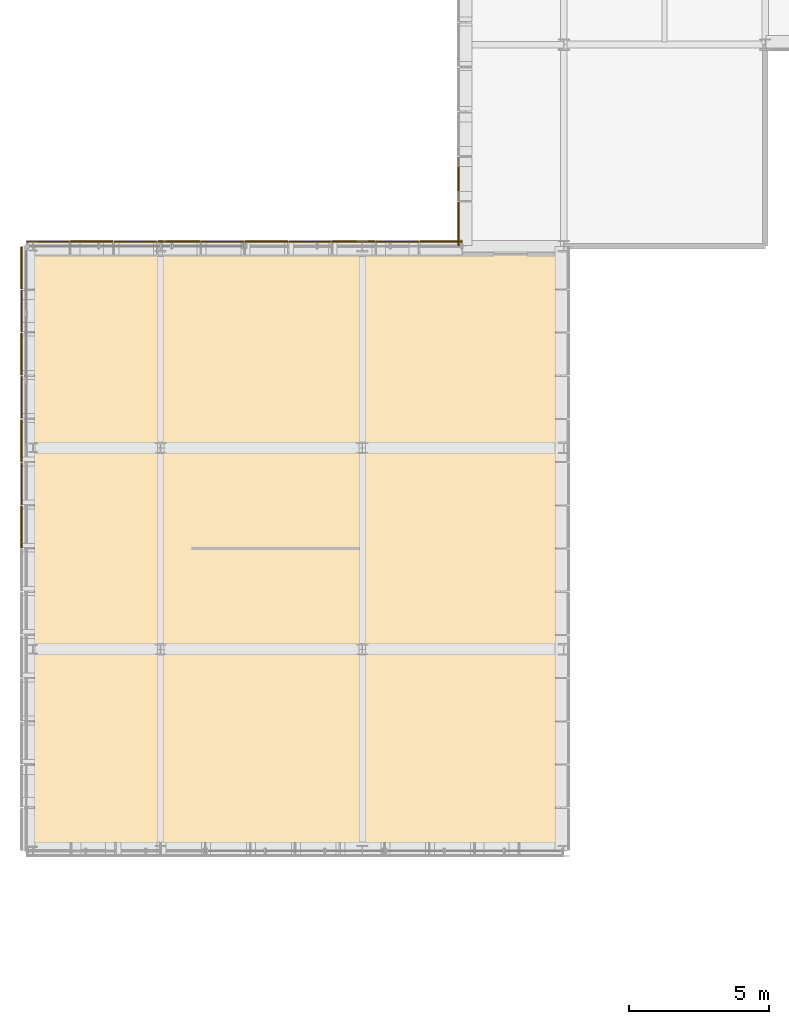
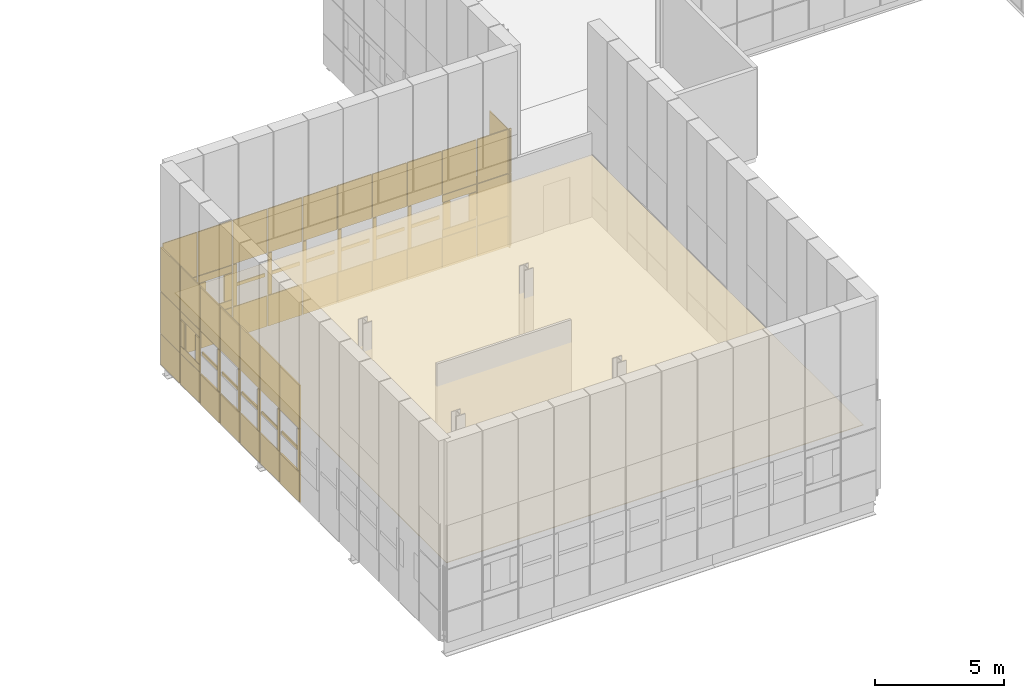
# One storey, part 128 of 144: 77 coverings.
"""IFC4 building model written with IfcOpenShell, lengths in metres."""

import ifcopenshell
import ifcopenshell.guid

model = None  # the IFC model being written
_history = None  # IfcOwnerHistory: only IFC2X3 demands one
_inside = {}  # id of a spatial element -> (the spatial element, [elements in it])
_under = {}  # id of a project, library or spatial element -> (it, [spatial elements below it])
_declared = {}  # id of a project -> (the project, [libraries it declares])
_typed = {}  # id of a type object -> (the type object, [elements of that type])
_made_of = {}  # id of a material, layer set ... -> (it, [elements and type objects made of it])


def new_model(schema):
    """Start an empty IFC model of exactly this schema.

    Asked for "IFC4X3", IfcOpenShell would pick the latest addendum, in which some entities
    have other attributes; the version numbers below select the first issue.
    IFC2X3 requires an IfcOwnerHistory on every rooted entity: one is made here for all.
    """
    global model, _history
    if schema == "IFC4X3":
        model = ifcopenshell.file(schema_version=(4, 3, 0, 0))
    else:
        model = ifcopenshell.file(schema=schema)
    _inside.clear()
    _under.clear()
    _declared.clear()
    _typed.clear()
    _made_of.clear()
    _history = None
    if model.schema == "IFC2X3":
        org = make("IfcOrganization", Name="unknown")
        user = make(
            "IfcPersonAndOrganization",
            ThePerson=make("IfcPerson", FamilyName="unknown"),
            TheOrganization=org,
        )
        app = make(
            "IfcApplication",
            ApplicationDeveloper=org,
            Version="unknown",
            ApplicationFullName="unknown",
            ApplicationIdentifier="unknown",
        )
        _history = make(
            "IfcOwnerHistory",
            OwningUser=user,
            OwningApplication=app,
            ChangeAction="ADDED",
            CreationDate=0,
        )
    return model


def make(cls, **values):
    """One entity of the class cls with the attributes given. An attribute that is None is left unset."""
    return model.create_entity(
        cls, **{name: value for name, value in values.items() if value is not None}
    )


def rooted(cls, **values):
    """An entity with a GlobalId (a new one), such as an element, a storey or a relation."""
    return make(cls, GlobalId=ifcopenshell.guid.new(), OwnerHistory=_history, **values)


def si_unit(unit_type, name, prefix=None):
    """IfcSIUnit, for example si_unit("LENGTHUNIT", "METRE", prefix="MILLI")."""
    return make("IfcSIUnit", UnitType=unit_type, Prefix=prefix, Name=name)


def assignment(units):
    """IfcUnitAssignment: the units of a project."""
    return None if units is None else make("IfcUnitAssignment", Units=units)


def point(xyz):
    """IfcCartesianPoint."""
    return None if xyz is None else make("IfcCartesianPoint", Coordinates=xyz)


def direction(xyz):
    """IfcDirection."""
    return None if xyz is None else make("IfcDirection", DirectionRatios=xyz)


def frame(location, z_axis=None, x_axis=None):
    """IfcAxis2Placement3D, a coordinate frame: its origin and axes. An axis left out is left unset."""
    return make(
        "IfcAxis2Placement3D",
        Location=point(location),
        Axis=direction(z_axis),
        RefDirection=direction(x_axis),
    )


def frame_2d(location, x_axis=None):
    """IfcAxis2Placement2D, a coordinate frame in the plane: its origin and x axis."""
    return make(
        "IfcAxis2Placement2D", Location=point(location), RefDirection=direction(x_axis)
    )


def origin():
    """The frame at (0, 0, 0) with its axes left unset."""
    return frame((0.0, 0.0, 0.0))


def origin_2d():
    """The frame at (0, 0) in the plane with its x axis left unset."""
    return frame_2d((0.0, 0.0))


def place(relative_to, where):
    """IfcLocalPlacement: puts the frame where relative to a parent placement (None: the world)."""
    return make(
        "IfcLocalPlacement", PlacementRelTo=relative_to, RelativePlacement=where
    )


def context(
    kind, dimensions, precision=None, world=None, true_north=None, identifier=None
):
    """IfcGeometricRepresentationContext, for example the 3D "Model" context."""
    return make(
        "IfcGeometricRepresentationContext",
        ContextIdentifier=identifier,
        ContextType=kind,
        CoordinateSpaceDimension=dimensions,
        Precision=precision,
        WorldCoordinateSystem=world,
        TrueNorth=true_north,
    )


def subcontext(parent, identifier, kind, view, scale=None):
    """IfcGeometricRepresentationSubContext, for example "Body" below "Model"."""
    return make(
        "IfcGeometricRepresentationSubContext",
        ContextIdentifier=identifier,
        ContextType=kind,
        ParentContext=parent,
        TargetScale=scale,
        TargetView=view,
    )


def project(units=None, contexts=None):
    """IfcProject with its units and contexts."""
    return rooted(
        "IfcProject",
        Name="project",
        RepresentationContexts=contexts,
        UnitsInContext=assignment(units),
    )


def spatial(cls, under=None, at=None, **own):
    """A site, building, storey or space (cls), placed at a placement, below another one or the project."""
    s = rooted(cls, ObjectPlacement=at, **own)
    if under is not None:
        _under.setdefault(under.id(), (under, []))[1].append(s)
    return s


def polyline(points):
    """IfcPolyline through the points."""
    return make("IfcPolyline", Points=[point(p) for p in points])


def profile(cls, at=None, kind="AREA", **sizes):
    """A parametric profile (cls). Its sizes go by their IFC names, for example OverallWidth=200.0."""
    return make(cls, ProfileType=kind, Position=at, **sizes)


def rectangle(**sizes):
    """IfcRectangleProfileDef."""
    return profile("IfcRectangleProfileDef", **sizes)


def outline(outer, holes=None, kind="AREA"):
    """IfcArbitraryClosedProfileDef: a profile drawn as a closed curve; with holes, ...WithVoids."""
    if holes is None:
        return make("IfcArbitraryClosedProfileDef", ProfileType=kind, OuterCurve=outer)
    return make(
        "IfcArbitraryProfileDefWithVoids",
        ProfileType=kind,
        OuterCurve=outer,
        InnerCurves=holes,
    )


def extrude(swept, where, along, depth):
    """IfcExtrudedAreaSolid: the profile swept, set in the frame where, extruded along a direction by depth."""
    return make(
        "IfcExtrudedAreaSolid",
        SweptArea=swept,
        Position=where,
        ExtrudedDirection=direction(along),
        Depth=depth,
    )


def shape(context_of_items, identifier, shape_type, items):
    """IfcShapeRepresentation: the items that make up one representation, for example the "Body"."""
    return make(
        "IfcShapeRepresentation",
        ContextOfItems=context_of_items,
        RepresentationIdentifier=identifier,
        RepresentationType=shape_type,
        Items=items,
    )


def material(Name=None, Category=None):
    """IfcMaterial."""
    return make("IfcMaterial", Name=Name, Category=Category)


def layer(
    of_material, thickness, ventilated=None, Name=None, Category=None, Priority=None
):
    """IfcMaterialLayer: one layer of a wall or slab, of a material (None: an air gap)."""
    return make(
        "IfcMaterialLayer",
        Material=of_material,
        LayerThickness=thickness,
        IsVentilated=ventilated,
        Name=Name,
        Category=Category,
        Priority=Priority,
    )


def layer_set(layers, Name=None):
    """IfcMaterialLayerSet."""
    return make("IfcMaterialLayerSet", MaterialLayers=layers, LayerSetName=Name)


def made_of(thing, what):
    """Note that an element or type object is made of a material, layer set ...; save() writes the relation."""
    if what is not None:
        _made_of.setdefault(what.id(), (what, []))[1].append(thing)
    return thing


def type_object(cls, material=None, **own):
    """A type object (cls), such as IfcWallType, which elements share."""
    return made_of(rooted(cls, **own), material)


def element(
    cls,
    number,
    at=None,
    inside=None,
    cuts=None,
    type_object=None,
    material=None,
    context=None,
    identifier="Body",
    shape_type=None,
    held_by="IfcProductDefinitionShape",
    body=None,
    shapes=None,
    **own,
):
    """One element of the class cls, such as IfcWall. Its Tag is "e" and its number.

    at: its placement. inside: the storey or other place that contains it. cuts: it is an
    opening in that element (IfcRelVoidsElement). A single representation is given by context,
    identifier, shape_type and body (its items); several are given by shapes. held_by: the class
    of the entity that holds the representations. save() writes the other relations.
    """
    e = rooted(cls, Tag="e%d" % number, ObjectPlacement=at, **own)
    if body is not None:
        shapes = [shape(context, identifier, shape_type, body)]
    if shapes is not None:
        e.Representation = make(held_by, Representations=shapes)
    if inside is not None:
        _inside.setdefault(inside.id(), (inside, []))[1].append(e)
    if cuts is not None:
        rooted(
            "IfcRelVoidsElement", RelatingBuildingElement=cuts, RelatedOpeningElement=e
        )
    if type_object is not None:
        _typed.setdefault(type_object.id(), (type_object, []))[1].append(e)
    return made_of(e, material)


def aggregate(whole, parts):
    """IfcRelAggregates: a whole, such as a stair, and the parts it consists of."""
    return rooted("IfcRelAggregates", RelatingObject=whole, RelatedObjects=parts)


def save(model, path):
    """Write the relations noted so far, then the file.

    IfcRelAggregates (storeys below a building ...), IfcRelContainedInSpatialStructure (elements
    in a storey), IfcRelDefinesByType, IfcRelAssociatesMaterial and IfcRelDeclares: one each for
    every whole, place, type object, material and project.
    """
    for whole, parts in _under.values():
        aggregate(whole, parts)
    for where, things in _inside.values():
        rooted(
            "IfcRelContainedInSpatialStructure",
            RelatedElements=things,
            RelatingStructure=where,
        )
    for kind, things in _typed.values():
        rooted("IfcRelDefinesByType", RelatedObjects=things, RelatingType=kind)
    for what, things in _made_of.values():
        rooted("IfcRelAssociatesMaterial", RelatedObjects=things, RelatingMaterial=what)
    for by, libraries in _declared.values():
        rooted("IfcRelDeclares", RelatingContext=by, RelatedDefinitions=libraries)
    model.write(path)


model = new_model("IFC4")

# Units and contexts
model_context = context("Model", 3, precision=1e-05, world=origin(), true_north=direction((0.0, 1.0)))
body_context = subcontext(model_context, "Body", "Model", "MODEL_VIEW")
ifc_project = project(units=[si_unit("LENGTHUNIT", "METRE"), si_unit("AREAUNIT", "SQUARE_METRE"), si_unit("VOLUMEUNIT", "CUBIC_METRE"), si_unit("PLANEANGLEUNIT", "RADIAN"), si_unit("MASSUNIT", "GRAM", prefix="KILO")], contexts=[model_context])

# Site, building, storey
site_placement = place(None, origin())
site = spatial("IfcSite", under=ifc_project, at=site_placement, CompositionType="ELEMENT")
building_placement = place(site_placement, origin())
building = spatial("IfcBuilding", under=site, at=building_placement, Name="Yarey Park Central Fire Station", CompositionType="ELEMENT")
storey_placement = place(building_placement, frame((0.0, 0.0, 10.199951171875)))
storey = spatial("IfcBuildingStorey", under=building, at=storey_placement, Name="L03", CompositionType="ELEMENT", Elevation=10.199951171875)

# Coverings
ifc_material_1 = material(Name="Perforated Powder-Coated Aluminium Cladding", Category="aluminium")
ifc_layer_1 = layer(ifc_material_1, 0.0419921875)
ifc_layer_set_1 = layer_set([ifc_layer_1], Name="Perforated Powder-Coated Aluminium Cladding")
covering_type_1 = type_object("IfcCoveringType", Name="ENV_COV_PERF_1", PredefinedType="CLADDING", material=ifc_layer_set_1)
covering_1_placement = place(storey_placement, frame((9.43994140625, 34.71435546875, -0.5048828125), z_axis=(0.0, 0.0, 1.0), x_axis=(0.0, 1.0, 0.0)))
element("IfcCovering", 1, at=covering_1_placement, inside=storey, type_object=covering_type_1, Name="PERF_L03_0059", PredefinedType="CLADDING", context=body_context, shape_type="SweptSolid", body=[
    extrude(rectangle(XDim=1.5029296875, YDim=0.0419921875, at=origin_2d()), origin(), (0.0, 0.0, 1.0), 1.43994140625),
])
covering_2_placement = place(storey_placement, frame((9.43994140625, 34.052978515625, 0.96484375), z_axis=(0.0, 0.0, 1.0), x_axis=(0.0, 1.0, 0.0)))
element("IfcCovering", 2, at=covering_2_placement, inside=storey, type_object=covering_type_1, Name="PERF_L03_0060", PredefinedType="CLADDING", context=body_context, shape_type="SweptSolid", body=[
    extrude(rectangle(XDim=0.159912109375, YDim=0.0419921875, at=origin_2d()), origin(), (0.0, 0.0, 1.0), 1.969970703125),
])
covering_3_placement = place(storey_placement, frame((9.43994140625, 34.71435546875, 1.8701171875), z_axis=(0.0, 0.0, 1.0), x_axis=(0.0, 1.0, 0.0)))
element("IfcCovering", 3, at=covering_3_placement, inside=storey, type_object=covering_type_1, Name="PERF_L03_0061", PredefinedType="CLADDING", context=body_context, shape_type="SweptSolid", body=[
    extrude(rectangle(XDim=1.302978515625, YDim=0.0419921875, at=origin_2d()), origin(), (0.0, 0.0, 1.0), 0.159912109375),
])
covering_4_placement = place(storey_placement, frame((9.43994140625, 34.71435546875, 2.96484375), z_axis=(0.0, 0.0, 1.0), x_axis=(0.0, 1.0, 0.0)))
element("IfcCovering", 4, at=covering_4_placement, inside=storey, type_object=covering_type_1, Name="PERF_L03_0062", PredefinedType="CLADDING", context=body_context, shape_type="SweptSolid", body=[
    extrude(rectangle(XDim=1.5029296875, YDim=0.0419921875, at=origin_2d()), origin(), (0.0, 0.0, 1.0), 2.070068359375),
])
covering_5_placement = place(storey_placement, frame((9.43994140625, 37.800048828125, -0.5048828125), z_axis=(0.0, 0.0, 1.0), x_axis=(0.0, 1.0, 0.0)))
element("IfcCovering", 5, at=covering_5_placement, inside=storey, type_object=covering_type_1, Name="PERF_L03_0073", PredefinedType="CLADDING", context=body_context, shape_type="SweptSolid", body=[
    extrude(rectangle(XDim=1.5029296875, YDim=0.0419921875, at=origin_2d()), origin(), (0.0, 0.0, 1.0), 1.43994140625),
])
covering_6_placement = place(storey_placement, frame((9.43994140625, 37.138671875, 0.96484375), z_axis=(0.0, 0.0, 1.0), x_axis=(0.0, 1.0, 0.0)))
element("IfcCovering", 6, at=covering_6_placement, inside=storey, type_object=covering_type_1, Name="PERF_L03_0074", PredefinedType="CLADDING", context=body_context, shape_type="SweptSolid", body=[
    extrude(rectangle(XDim=0.159912109375, YDim=0.0419921875, at=origin_2d()), origin(), (0.0, 0.0, 1.0), 1.969970703125),
])
covering_7_placement = place(storey_placement, frame((9.43994140625, 37.800048828125, 1.8701171875), z_axis=(0.0, 0.0, 1.0), x_axis=(0.0, 1.0, 0.0)))
element("IfcCovering", 7, at=covering_7_placement, inside=storey, type_object=covering_type_1, Name="PERF_L03_0075", PredefinedType="CLADDING", context=body_context, shape_type="SweptSolid", body=[
    extrude(rectangle(XDim=1.302978515625, YDim=0.0419921875, at=origin_2d()), origin(), (0.0, 0.0, 1.0), 0.159912109375),
])
covering_8_placement = place(storey_placement, frame((9.43994140625, 37.800048828125, 2.96484375), z_axis=(0.0, 0.0, 1.0), x_axis=(0.0, 1.0, 0.0)))
element("IfcCovering", 8, at=covering_8_placement, inside=storey, type_object=covering_type_1, Name="PERF_L03_0076", PredefinedType="CLADDING", context=body_context, shape_type="SweptSolid", body=[
    extrude(rectangle(XDim=1.5029296875, YDim=0.0419921875, at=origin_2d()), origin(), (0.0, 0.0, 1.0), 2.070068359375),
])
covering_9_placement = place(storey_placement, frame((9.43994140625, 40.8857421875, -0.5048828125), z_axis=(0.0, 0.0, 1.0), x_axis=(0.0, 1.0, 0.0)))
element("IfcCovering", 9, at=covering_9_placement, inside=storey, type_object=covering_type_1, Name="PERF_L03_0087", PredefinedType="CLADDING", context=body_context, shape_type="SweptSolid", body=[
    extrude(rectangle(XDim=1.5029296875, YDim=0.0419921875, at=origin_2d()), origin(), (0.0, 0.0, 1.0), 1.43994140625),
])
for number, where, z_axis, x_axis, name in (
    (10, (9.43994140625, 40.8857421875, 0.9599609375), (0.0, 0.0, 1.0), (0.0, 1.0, 0.0), "PERF_L03_0088"),
    (11, (9.43994140625, 40.8857421875, 2.60009765625), (0.0, 0.0, 1.0), (0.0, 1.0, 0.0), "PERF_L03_0089"),
):
    element("IfcCovering", number, at=place(storey_placement, frame(where, z_axis=z_axis, x_axis=x_axis)), inside=storey, type_object=covering_type_1, Name=name, PredefinedType="CLADDING", context=body_context, shape_type="SweptSolid", body=[
        extrude(rectangle(XDim=1.5029296875, YDim=0.0419921875, at=origin_2d()), origin(), (0.0, 0.0, 1.0), 0.340087890625),
    ])
for number, where, z_axis, x_axis, name in (
    (12, (9.43994140625, 40.314208984375, 1.324951171875), (0.0, 0.0, 1.0), (0.0, 1.0, 0.0), "PERF_L03_0090"),
    (13, (9.43994140625, 41.45703125, 1.324951171875), (0.0, 0.0, 1.0), (0.0, 1.0, 0.0), "PERF_L03_0091"),
):
    element("IfcCovering", number, at=place(storey_placement, frame(where, z_axis=z_axis, x_axis=x_axis)), inside=storey, type_object=covering_type_1, Name=name, PredefinedType="CLADDING", context=body_context, shape_type="SweptSolid", body=[
        extrude(rectangle(XDim=0.340087890625, YDim=0.0419921875, at=origin_2d()), origin(), (0.0, 0.0, 1.0), 1.25),
    ])
covering_10_placement = place(storey_placement, frame((9.43994140625, 40.8857421875, 2.96484375), z_axis=(0.0, 0.0, 1.0), x_axis=(0.0, 1.0, 0.0)))
element("IfcCovering", 14, at=covering_10_placement, inside=storey, type_object=covering_type_1, Name="PERF_L03_0092", PredefinedType="CLADDING", context=body_context, shape_type="SweptSolid", body=[
    extrude(rectangle(XDim=1.5029296875, YDim=0.0419921875, at=origin_2d()), origin(), (0.0, 0.0, 1.0), 2.070068359375),
])
covering_11_placement = place(storey_placement, frame((10.3798828125, 43.360107421875, -0.5048828125), z_axis=(0.0, 0.0, 1.0), x_axis=(1.0, 0.0, 0.0)))
element("IfcCovering", 15, at=covering_11_placement, inside=storey, type_object=covering_type_1, Name="PERF_L03_0191", PredefinedType="CLADDING", context=body_context, shape_type="SweptSolid", body=[
    extrude(rectangle(XDim=1.52001953125, YDim=0.0419921875, at=origin_2d()), origin(), (0.0, 0.0, 1.0), 1.43994140625),
])
covering_12_placement = place(storey_placement, frame((10.3798828125, 43.360107421875, 0.96484375), z_axis=(0.0, 0.0, 1.0), x_axis=(1.0, 0.0, 0.0)))
element("IfcCovering", 16, at=covering_12_placement, inside=storey, type_object=covering_type_1, Name="PERF_L03_0192", PredefinedType="CLADDING", context=body_context, shape_type="SweptSolid", body=[
    extrude(rectangle(XDim=1.52001953125, YDim=0.0419921875, at=origin_2d()), origin(), (0.0, 0.0, 1.0), 1.969970703125),
])
covering_13_placement = place(storey_placement, frame((10.3798828125, 43.360107421875, 2.96484375), z_axis=(0.0, 0.0, 1.0), x_axis=(1.0, 0.0, 0.0)))
element("IfcCovering", 17, at=covering_13_placement, inside=storey, type_object=covering_type_1, Name="PERF_L03_0193", PredefinedType="CLADDING", context=body_context, shape_type="SweptSolid", body=[
    extrude(rectangle(XDim=1.52001953125, YDim=0.0419921875, at=origin_2d()), origin(), (0.0, 0.0, 1.0), 2.070068359375),
])
covering_14_placement = place(storey_placement, frame((13.5, 43.360107421875, -0.5048828125), z_axis=(0.0, 0.0, 1.0), x_axis=(1.0, 0.0, 0.0)))
element("IfcCovering", 18, at=covering_14_placement, inside=storey, type_object=covering_type_1, Name="PERF_L03_0207", PredefinedType="CLADDING", context=body_context, shape_type="SweptSolid", body=[
    extrude(rectangle(XDim=1.52001953125, YDim=0.0419921875, at=origin_2d()), origin(), (0.0, 0.0, 1.0), 1.43994140625),
])
covering_15_placement = place(storey_placement, frame((12.830078125, 43.360107421875, 0.96484375), z_axis=(0.0, 0.0, 1.0), x_axis=(1.0, 0.0, 0.0)))
element("IfcCovering", 19, at=covering_15_placement, inside=storey, type_object=covering_type_1, Name="PERF_L03_0208", PredefinedType="CLADDING", context=body_context, shape_type="SweptSolid", body=[
    extrude(rectangle(XDim=0.159912109375, YDim=0.0419921875, at=origin_2d()), origin(), (0.0, 0.0, 1.0), 1.969970703125),
])
covering_16_placement = place(storey_placement, frame((13.5, 43.360107421875, 1.8701171875), z_axis=(0.0, 0.0, 1.0), x_axis=(1.0, 0.0, 0.0)))
element("IfcCovering", 20, at=covering_16_placement, inside=storey, type_object=covering_type_1, Name="PERF_L03_0209", PredefinedType="CLADDING", context=body_context, shape_type="SweptSolid", body=[
    extrude(rectangle(XDim=1.320068359375, YDim=0.0419921875, at=origin_2d()), origin(), (0.0, 0.0, 1.0), 0.159912109375),
])
covering_17_placement = place(storey_placement, frame((13.5, 43.360107421875, 2.96484375), z_axis=(0.0, 0.0, 1.0), x_axis=(1.0, 0.0, 0.0)))
element("IfcCovering", 21, at=covering_17_placement, inside=storey, type_object=covering_type_1, Name="PERF_L03_0210", PredefinedType="CLADDING", context=body_context, shape_type="SweptSolid", body=[
    extrude(rectangle(XDim=1.52001953125, YDim=0.0419921875, at=origin_2d()), origin(), (0.0, 0.0, 1.0), 2.070068359375),
])
covering_18_placement = place(storey_placement, frame((16.6201171875, 43.360107421875, -0.5048828125), z_axis=(0.0, 0.0, 1.0), x_axis=(1.0, 0.0, 0.0)))
element("IfcCovering", 22, at=covering_18_placement, inside=storey, type_object=covering_type_1, Name="PERF_L03_0221", PredefinedType="CLADDING", context=body_context, shape_type="SweptSolid", body=[
    extrude(rectangle(XDim=1.52001953125, YDim=0.0419921875, at=origin_2d()), origin(), (0.0, 0.0, 1.0), 1.43994140625),
])
covering_19_placement = place(storey_placement, frame((15.949951171875, 43.360107421875, 0.96484375), z_axis=(0.0, 0.0, 1.0), x_axis=(1.0, 0.0, 0.0)))
element("IfcCovering", 23, at=covering_19_placement, inside=storey, type_object=covering_type_1, Name="PERF_L03_0222", PredefinedType="CLADDING", context=body_context, shape_type="SweptSolid", body=[
    extrude(rectangle(XDim=0.159912109375, YDim=0.0419921875, at=origin_2d()), origin(), (0.0, 0.0, 1.0), 1.969970703125),
])
covering_20_placement = place(storey_placement, frame((16.6201171875, 43.360107421875, 1.8701171875), z_axis=(0.0, 0.0, 1.0), x_axis=(1.0, 0.0, 0.0)))
element("IfcCovering", 24, at=covering_20_placement, inside=storey, type_object=covering_type_1, Name="PERF_L03_0223", PredefinedType="CLADDING", context=body_context, shape_type="SweptSolid", body=[
    extrude(rectangle(XDim=1.320068359375, YDim=0.0419921875, at=origin_2d()), origin(), (0.0, 0.0, 1.0), 0.159912109375),
])
covering_21_placement = place(storey_placement, frame((16.6201171875, 43.360107421875, 2.96484375), z_axis=(0.0, 0.0, 1.0), x_axis=(1.0, 0.0, 0.0)))
element("IfcCovering", 25, at=covering_21_placement, inside=storey, type_object=covering_type_1, Name="PERF_L03_0224", PredefinedType="CLADDING", context=body_context, shape_type="SweptSolid", body=[
    extrude(rectangle(XDim=1.52001953125, YDim=0.0419921875, at=origin_2d()), origin(), (0.0, 0.0, 1.0), 2.070068359375),
])
covering_22_placement = place(storey_placement, frame((19.739990234375, 43.360107421875, -0.5048828125), z_axis=(0.0, 0.0, 1.0), x_axis=(1.0, 0.0, 0.0)))
element("IfcCovering", 26, at=covering_22_placement, inside=storey, type_object=covering_type_1, Name="PERF_L03_0235", PredefinedType="CLADDING", context=body_context, shape_type="SweptSolid", body=[
    extrude(rectangle(XDim=1.52001953125, YDim=0.0419921875, at=origin_2d()), origin(), (0.0, 0.0, 1.0), 1.43994140625),
])
covering_23_placement = place(storey_placement, frame((19.070068359375, 43.360107421875, 0.96484375), z_axis=(0.0, 0.0, 1.0), x_axis=(1.0, 0.0, 0.0)))
element("IfcCovering", 27, at=covering_23_placement, inside=storey, type_object=covering_type_1, Name="PERF_L03_0236", PredefinedType="CLADDING", context=body_context, shape_type="SweptSolid", body=[
    extrude(rectangle(XDim=0.159912109375, YDim=0.0419921875, at=origin_2d()), origin(), (0.0, 0.0, 1.0), 1.969970703125),
])
covering_24_placement = place(storey_placement, frame((19.739990234375, 43.360107421875, 1.8701171875), z_axis=(0.0, 0.0, 1.0), x_axis=(1.0, 0.0, 0.0)))
element("IfcCovering", 28, at=covering_24_placement, inside=storey, type_object=covering_type_1, Name="PERF_L03_0237", PredefinedType="CLADDING", context=body_context, shape_type="SweptSolid", body=[
    extrude(rectangle(XDim=1.320068359375, YDim=0.0419921875, at=origin_2d()), origin(), (0.0, 0.0, 1.0), 0.159912109375),
])
covering_25_placement = place(storey_placement, frame((19.739990234375, 43.360107421875, 2.96484375), z_axis=(0.0, 0.0, 1.0), x_axis=(1.0, 0.0, 0.0)))
element("IfcCovering", 29, at=covering_25_placement, inside=storey, type_object=covering_type_1, Name="PERF_L03_0238", PredefinedType="CLADDING", context=body_context, shape_type="SweptSolid", body=[
    extrude(rectangle(XDim=1.52001953125, YDim=0.0419921875, at=origin_2d()), origin(), (0.0, 0.0, 1.0), 2.070068359375),
])
covering_26_placement = place(storey_placement, frame((22.860107421875, 43.360107421875, -0.5048828125), z_axis=(0.0, 0.0, 1.0), x_axis=(1.0, 0.0, 0.0)))
element("IfcCovering", 30, at=covering_26_placement, inside=storey, type_object=covering_type_1, Name="PERF_L03_0249", PredefinedType="CLADDING", context=body_context, shape_type="SweptSolid", body=[
    extrude(rectangle(XDim=1.52001953125, YDim=0.0419921875, at=origin_2d()), origin(), (0.0, 0.0, 1.0), 1.43994140625),
])
for number, where, z_axis, x_axis, name in (
    (31, (22.860107421875, 43.360107421875, 0.9599609375), (0.0, 0.0, 1.0), (1.0, 0.0, 0.0), "PERF_L03_0250"),
    (32, (22.860107421875, 43.360107421875, 2.60009765625), (0.0, 0.0, 1.0), (1.0, 0.0, 0.0), "PERF_L03_0251"),
):
    element("IfcCovering", number, at=place(storey_placement, frame(where, z_axis=z_axis, x_axis=x_axis)), inside=storey, type_object=covering_type_1, Name=name, PredefinedType="CLADDING", context=body_context, shape_type="SweptSolid", body=[
        extrude(rectangle(XDim=1.52001953125, YDim=0.0419921875, at=origin_2d()), origin(), (0.0, 0.0, 1.0), 0.340087890625),
    ])
for number, where, z_axis, x_axis, name in (
    (33, (22.280029296875, 43.360107421875, 1.324951171875), (0.0, 0.0, 1.0), (1.0, 0.0, 0.0), "PERF_L03_0252"),
    (34, (23.43994140625, 43.360107421875, 1.324951171875), (0.0, 0.0, 1.0), (1.0, 0.0, 0.0), "PERF_L03_0253"),
):
    element("IfcCovering", number, at=place(storey_placement, frame(where, z_axis=z_axis, x_axis=x_axis)), inside=storey, type_object=covering_type_1, Name=name, PredefinedType="CLADDING", context=body_context, shape_type="SweptSolid", body=[
        extrude(rectangle(XDim=0.340087890625, YDim=0.0419921875, at=origin_2d()), origin(), (0.0, 0.0, 1.0), 1.25),
    ])
covering_27_placement = place(storey_placement, frame((22.860107421875, 43.360107421875, 2.96484375), z_axis=(0.0, 0.0, 1.0), x_axis=(1.0, 0.0, 0.0)))
element("IfcCovering", 35, at=covering_27_placement, inside=storey, type_object=covering_type_1, Name="PERF_L03_0254", PredefinedType="CLADDING", context=body_context, shape_type="SweptSolid", body=[
    extrude(rectangle(XDim=1.52001953125, YDim=0.0419921875, at=origin_2d()), origin(), (0.0, 0.0, 1.0), 2.070068359375),
])
covering_28_placement = place(storey_placement, frame((25.0400390625, 44.0, -0.5048828125), z_axis=(0.0, 0.0, 1.0), x_axis=(0.0, 1.0, 0.0)))
element("IfcCovering", 36, at=covering_28_placement, inside=storey, type_object=covering_type_1, Name="PERF_L03_0526", PredefinedType="CLADDING", context=body_context, shape_type="SweptSolid", body=[
    extrude(rectangle(XDim=1.56005859375, YDim=0.0419921875, at=origin_2d()), origin(), (0.0, 0.0, 1.0), 1.43994140625),
])
covering_29_placement = place(storey_placement, frame((25.0400390625, 44.0, 0.96484375), z_axis=(0.0, 0.0, 1.0), x_axis=(0.0, 1.0, 0.0)))
element("IfcCovering", 37, at=covering_29_placement, inside=storey, type_object=covering_type_1, Name="PERF_L03_0527", PredefinedType="CLADDING", context=body_context, shape_type="SweptSolid", body=[
    extrude(rectangle(XDim=1.56005859375, YDim=0.0419921875, at=origin_2d()), origin(), (0.0, 0.0, 1.0), 1.969970703125),
])
covering_30_placement = place(storey_placement, frame((25.0400390625, 44.0, 2.96484375), z_axis=(0.0, 0.0, 1.0), x_axis=(0.0, 1.0, 0.0)))
element("IfcCovering", 38, at=covering_30_placement, inside=storey, type_object=covering_type_1, Name="PERF_L03_0528", PredefinedType="CLADDING", context=body_context, shape_type="SweptSolid", body=[
    extrude(rectangle(XDim=1.56005859375, YDim=0.0419921875, at=origin_2d()), origin(), (0.0, 0.0, 1.0), 2.070068359375),
])
ifc_layer_2 = layer(ifc_material_1, 0.053955078125)
ifc_layer_set_2 = layer_set([ifc_layer_2], Name="Perforated Powder-Coated Aluminium Cladding")
covering_type_2 = type_object("IfcCoveringType", Name="ENV_COV_PERF_2", PredefinedType="CLADDING", material=ifc_layer_set_2)
covering_31_placement = place(storey_placement, frame((9.43994140625, 33.17138671875, -0.5048828125), z_axis=(0.0, 0.0, 1.0), x_axis=(0.0, 1.0, 0.0)))
element("IfcCovering", 39, at=covering_31_placement, inside=storey, type_object=covering_type_2, Name="PERF_L03_0052", PredefinedType="CLADDING", context=body_context, shape_type="SweptSolid", body=[
    extrude(rectangle(XDim=1.5029296875, YDim=0.053955078125, at=origin_2d()), origin(), (0.0, 0.0, 1.0), 1.43994140625),
])
covering_32_placement = place(storey_placement, frame((9.43994140625, 32.510009765625, 0.96484375), z_axis=(0.0, 0.0, 1.0), x_axis=(0.0, 1.0, 0.0)))
element("IfcCovering", 40, at=covering_32_placement, inside=storey, type_object=covering_type_2, Name="PERF_L03_0053", PredefinedType="CLADDING", context=body_context, shape_type="SweptSolid", body=[
    extrude(rectangle(XDim=0.159912109375, YDim=0.053955078125, at=origin_2d()), origin(), (0.0, 0.0, 1.0), 1.969970703125),
])
covering_33_placement = place(storey_placement, frame((9.43994140625, 33.17138671875, 1.8701171875), z_axis=(0.0, 0.0, 1.0), x_axis=(0.0, 1.0, 0.0)))
element("IfcCovering", 41, at=covering_33_placement, inside=storey, type_object=covering_type_2, Name="PERF_L03_0054", PredefinedType="CLADDING", context=body_context, shape_type="SweptSolid", body=[
    extrude(rectangle(XDim=1.302978515625, YDim=0.053955078125, at=origin_2d()), origin(), (0.0, 0.0, 1.0), 0.159912109375),
])
covering_34_placement = place(storey_placement, frame((9.43994140625, 33.17138671875, 2.96484375), z_axis=(0.0, 0.0, 1.0), x_axis=(0.0, 1.0, 0.0)))
element("IfcCovering", 42, at=covering_34_placement, inside=storey, type_object=covering_type_2, Name="PERF_L03_0055", PredefinedType="CLADDING", context=body_context, shape_type="SweptSolid", body=[
    extrude(rectangle(XDim=1.5029296875, YDim=0.053955078125, at=origin_2d()), origin(), (0.0, 0.0, 1.0), 2.070068359375),
])
covering_35_placement = place(storey_placement, frame((9.43994140625, 36.257080078125, -0.5048828125), z_axis=(0.0, 0.0, 1.0), x_axis=(0.0, 1.0, 0.0)))
element("IfcCovering", 43, at=covering_35_placement, inside=storey, type_object=covering_type_2, Name="PERF_L03_0066", PredefinedType="CLADDING", context=body_context, shape_type="SweptSolid", body=[
    extrude(rectangle(XDim=1.5029296875, YDim=0.053955078125, at=origin_2d()), origin(), (0.0, 0.0, 1.0), 1.43994140625),
])
covering_36_placement = place(storey_placement, frame((9.43994140625, 35.595703125, 0.96484375), z_axis=(0.0, 0.0, 1.0), x_axis=(0.0, 1.0, 0.0)))
element("IfcCovering", 44, at=covering_36_placement, inside=storey, type_object=covering_type_2, Name="PERF_L03_0067", PredefinedType="CLADDING", context=body_context, shape_type="SweptSolid", body=[
    extrude(rectangle(XDim=0.159912109375, YDim=0.053955078125, at=origin_2d()), origin(), (0.0, 0.0, 1.0), 1.969970703125),
])
covering_37_placement = place(storey_placement, frame((9.43994140625, 36.257080078125, 1.8701171875), z_axis=(0.0, 0.0, 1.0), x_axis=(0.0, 1.0, 0.0)))
element("IfcCovering", 45, at=covering_37_placement, inside=storey, type_object=covering_type_2, Name="PERF_L03_0068", PredefinedType="CLADDING", context=body_context, shape_type="SweptSolid", body=[
    extrude(rectangle(XDim=1.302978515625, YDim=0.053955078125, at=origin_2d()), origin(), (0.0, 0.0, 1.0), 0.159912109375),
])
covering_38_placement = place(storey_placement, frame((9.43994140625, 36.257080078125, 2.96484375), z_axis=(0.0, 0.0, 1.0), x_axis=(0.0, 1.0, 0.0)))
element("IfcCovering", 46, at=covering_38_placement, inside=storey, type_object=covering_type_2, Name="PERF_L03_0069", PredefinedType="CLADDING", context=body_context, shape_type="SweptSolid", body=[
    extrude(rectangle(XDim=1.5029296875, YDim=0.053955078125, at=origin_2d()), origin(), (0.0, 0.0, 1.0), 2.070068359375),
])
covering_39_placement = place(storey_placement, frame((9.43994140625, 39.343017578125, -0.5048828125), z_axis=(0.0, 0.0, 1.0), x_axis=(0.0, 1.0, 0.0)))
element("IfcCovering", 47, at=covering_39_placement, inside=storey, type_object=covering_type_2, Name="PERF_L03_0080", PredefinedType="CLADDING", context=body_context, shape_type="SweptSolid", body=[
    extrude(rectangle(XDim=1.5029296875, YDim=0.053955078125, at=origin_2d()), origin(), (0.0, 0.0, 1.0), 1.43994140625),
])
covering_40_placement = place(storey_placement, frame((9.43994140625, 38.681396484375, 0.96484375), z_axis=(0.0, 0.0, 1.0), x_axis=(0.0, 1.0, 0.0)))
element("IfcCovering", 48, at=covering_40_placement, inside=storey, type_object=covering_type_2, Name="PERF_L03_0081", PredefinedType="CLADDING", context=body_context, shape_type="SweptSolid", body=[
    extrude(rectangle(XDim=0.159912109375, YDim=0.053955078125, at=origin_2d()), origin(), (0.0, 0.0, 1.0), 1.969970703125),
])
covering_41_placement = place(storey_placement, frame((9.43994140625, 39.343017578125, 1.8701171875), z_axis=(0.0, 0.0, 1.0), x_axis=(0.0, 1.0, 0.0)))
element("IfcCovering", 49, at=covering_41_placement, inside=storey, type_object=covering_type_2, Name="PERF_L03_0082", PredefinedType="CLADDING", context=body_context, shape_type="SweptSolid", body=[
    extrude(rectangle(XDim=1.302978515625, YDim=0.053955078125, at=origin_2d()), origin(), (0.0, 0.0, 1.0), 0.159912109375),
])
covering_42_placement = place(storey_placement, frame((9.43994140625, 39.343017578125, 2.96484375), z_axis=(0.0, 0.0, 1.0), x_axis=(0.0, 1.0, 0.0)))
element("IfcCovering", 50, at=covering_42_placement, inside=storey, type_object=covering_type_2, Name="PERF_L03_0083", PredefinedType="CLADDING", context=body_context, shape_type="SweptSolid", body=[
    extrude(rectangle(XDim=1.5029296875, YDim=0.053955078125, at=origin_2d()), origin(), (0.0, 0.0, 1.0), 2.070068359375),
])
covering_43_placement = place(storey_placement, frame((9.43994140625, 42.4287109375, -0.5048828125), z_axis=(0.0, 0.0, 1.0), x_axis=(0.0, 1.0, 0.0)))
element("IfcCovering", 51, at=covering_43_placement, inside=storey, type_object=covering_type_2, Name="PERF_L03_0098", PredefinedType="CLADDING", context=body_context, shape_type="SweptSolid", body=[
    extrude(rectangle(XDim=1.5029296875, YDim=0.053955078125, at=origin_2d()), origin(), (0.0, 0.0, 1.0), 1.43994140625),
])
covering_44_placement = place(storey_placement, frame((9.43994140625, 42.4287109375, 0.96484375), z_axis=(0.0, 0.0, 1.0), x_axis=(0.0, 1.0, 0.0)))
element("IfcCovering", 52, at=covering_44_placement, inside=storey, type_object=covering_type_2, Name="PERF_L03_0099", PredefinedType="CLADDING", context=body_context, shape_type="SweptSolid", body=[
    extrude(rectangle(XDim=1.5029296875, YDim=0.053955078125, at=origin_2d()), origin(), (0.0, 0.0, 1.0), 1.969970703125),
])
covering_45_placement = place(storey_placement, frame((9.43994140625, 42.4287109375, 2.96484375), z_axis=(0.0, 0.0, 1.0), x_axis=(0.0, 1.0, 0.0)))
element("IfcCovering", 53, at=covering_45_placement, inside=storey, type_object=covering_type_2, Name="PERF_L03_0100", PredefinedType="CLADDING", context=body_context, shape_type="SweptSolid", body=[
    extrude(rectangle(XDim=1.5029296875, YDim=0.053955078125, at=origin_2d()), origin(), (0.0, 0.0, 1.0), 2.070068359375),
])
covering_46_placement = place(storey_placement, frame((11.93994140625, 43.360107421875, -0.5048828125), z_axis=(0.0, 0.0, 1.0), x_axis=(1.0, 0.0, 0.0)))
element("IfcCovering", 54, at=covering_46_placement, inside=storey, type_object=covering_type_2, Name="PERF_L03_0196", PredefinedType="CLADDING", context=body_context, shape_type="SweptSolid", body=[
    extrude(rectangle(XDim=1.52001953125, YDim=0.053955078125, at=origin_2d()), origin(), (0.0, 0.0, 1.0), 1.43994140625),
])
for number, where, z_axis, x_axis, name in (
    (55, (11.93994140625, 43.360107421875, 0.9599609375), (0.0, 0.0, 1.0), (1.0, 0.0, 0.0), "PERF_L03_0197"),
    (56, (11.93994140625, 43.360107421875, 2.60009765625), (0.0, 0.0, 1.0), (1.0, 0.0, 0.0), "PERF_L03_0198"),
):
    element("IfcCovering", number, at=place(storey_placement, frame(where, z_axis=z_axis, x_axis=x_axis)), inside=storey, type_object=covering_type_2, Name=name, PredefinedType="CLADDING", context=body_context, shape_type="SweptSolid", body=[
        extrude(rectangle(XDim=1.52001953125, YDim=0.053955078125, at=origin_2d()), origin(), (0.0, 0.0, 1.0), 0.340087890625),
    ])
for number, where, z_axis, x_axis, name in (
    (57, (11.360107421875, 43.360107421875, 1.324951171875), (0.0, 0.0, 1.0), (1.0, 0.0, 0.0), "PERF_L03_0199"),
    (58, (12.52001953125, 43.360107421875, 1.324951171875), (0.0, 0.0, 1.0), (1.0, 0.0, 0.0), "PERF_L03_0200"),
):
    element("IfcCovering", number, at=place(storey_placement, frame(where, z_axis=z_axis, x_axis=x_axis)), inside=storey, type_object=covering_type_2, Name=name, PredefinedType="CLADDING", context=body_context, shape_type="SweptSolid", body=[
        extrude(rectangle(XDim=0.340087890625, YDim=0.053955078125, at=origin_2d()), origin(), (0.0, 0.0, 1.0), 1.25),
    ])
covering_47_placement = place(storey_placement, frame((11.93994140625, 43.360107421875, 2.96484375), z_axis=(0.0, 0.0, 1.0), x_axis=(1.0, 0.0, 0.0)))
element("IfcCovering", 59, at=covering_47_placement, inside=storey, type_object=covering_type_2, Name="PERF_L03_0201", PredefinedType="CLADDING", context=body_context, shape_type="SweptSolid", body=[
    extrude(rectangle(XDim=1.52001953125, YDim=0.053955078125, at=origin_2d()), origin(), (0.0, 0.0, 1.0), 2.070068359375),
])
covering_48_placement = place(storey_placement, frame((15.06005859375, 43.360107421875, -0.5048828125), z_axis=(0.0, 0.0, 1.0), x_axis=(1.0, 0.0, 0.0)))
element("IfcCovering", 60, at=covering_48_placement, inside=storey, type_object=covering_type_2, Name="PERF_L03_0214", PredefinedType="CLADDING", context=body_context, shape_type="SweptSolid", body=[
    extrude(rectangle(XDim=1.52001953125, YDim=0.053955078125, at=origin_2d()), origin(), (0.0, 0.0, 1.0), 1.43994140625),
])
covering_49_placement = place(storey_placement, frame((14.389892578125, 43.360107421875, 0.96484375), z_axis=(0.0, 0.0, 1.0), x_axis=(1.0, 0.0, 0.0)))
element("IfcCovering", 61, at=covering_49_placement, inside=storey, type_object=covering_type_2, Name="PERF_L03_0215", PredefinedType="CLADDING", context=body_context, shape_type="SweptSolid", body=[
    extrude(rectangle(XDim=0.159912109375, YDim=0.053955078125, at=origin_2d()), origin(), (0.0, 0.0, 1.0), 1.969970703125),
])
covering_50_placement = place(storey_placement, frame((15.06005859375, 43.360107421875, 1.8701171875), z_axis=(0.0, 0.0, 1.0), x_axis=(1.0, 0.0, 0.0)))
element("IfcCovering", 62, at=covering_50_placement, inside=storey, type_object=covering_type_2, Name="PERF_L03_0216", PredefinedType="CLADDING", context=body_context, shape_type="SweptSolid", body=[
    extrude(rectangle(XDim=1.320068359375, YDim=0.053955078125, at=origin_2d()), origin(), (0.0, 0.0, 1.0), 0.159912109375),
])
covering_51_placement = place(storey_placement, frame((15.06005859375, 43.360107421875, 2.96484375), z_axis=(0.0, 0.0, 1.0), x_axis=(1.0, 0.0, 0.0)))
element("IfcCovering", 63, at=covering_51_placement, inside=storey, type_object=covering_type_2, Name="PERF_L03_0217", PredefinedType="CLADDING", context=body_context, shape_type="SweptSolid", body=[
    extrude(rectangle(XDim=1.52001953125, YDim=0.053955078125, at=origin_2d()), origin(), (0.0, 0.0, 1.0), 2.070068359375),
])
covering_52_placement = place(storey_placement, frame((18.179931640625, 43.360107421875, -0.5048828125), z_axis=(0.0, 0.0, 1.0), x_axis=(1.0, 0.0, 0.0)))
element("IfcCovering", 64, at=covering_52_placement, inside=storey, type_object=covering_type_2, Name="PERF_L03_0228", PredefinedType="CLADDING", context=body_context, shape_type="SweptSolid", body=[
    extrude(rectangle(XDim=1.52001953125, YDim=0.053955078125, at=origin_2d()), origin(), (0.0, 0.0, 1.0), 1.43994140625),
])
covering_53_placement = place(storey_placement, frame((17.510009765625, 43.360107421875, 0.96484375), z_axis=(0.0, 0.0, 1.0), x_axis=(1.0, 0.0, 0.0)))
element("IfcCovering", 65, at=covering_53_placement, inside=storey, type_object=covering_type_2, Name="PERF_L03_0229", PredefinedType="CLADDING", context=body_context, shape_type="SweptSolid", body=[
    extrude(rectangle(XDim=0.159912109375, YDim=0.053955078125, at=origin_2d()), origin(), (0.0, 0.0, 1.0), 1.969970703125),
])
covering_54_placement = place(storey_placement, frame((18.179931640625, 43.360107421875, 1.8701171875), z_axis=(0.0, 0.0, 1.0), x_axis=(1.0, 0.0, 0.0)))
element("IfcCovering", 66, at=covering_54_placement, inside=storey, type_object=covering_type_2, Name="PERF_L03_0230", PredefinedType="CLADDING", context=body_context, shape_type="SweptSolid", body=[
    extrude(rectangle(XDim=1.320068359375, YDim=0.053955078125, at=origin_2d()), origin(), (0.0, 0.0, 1.0), 0.159912109375),
])
covering_55_placement = place(storey_placement, frame((18.179931640625, 43.360107421875, 2.96484375), z_axis=(0.0, 0.0, 1.0), x_axis=(1.0, 0.0, 0.0)))
element("IfcCovering", 67, at=covering_55_placement, inside=storey, type_object=covering_type_2, Name="PERF_L03_0231", PredefinedType="CLADDING", context=body_context, shape_type="SweptSolid", body=[
    extrude(rectangle(XDim=1.52001953125, YDim=0.053955078125, at=origin_2d()), origin(), (0.0, 0.0, 1.0), 2.070068359375),
])
covering_56_placement = place(storey_placement, frame((21.300048828125, 43.360107421875, -0.5048828125), z_axis=(0.0, 0.0, 1.0), x_axis=(1.0, 0.0, 0.0)))
element("IfcCovering", 68, at=covering_56_placement, inside=storey, type_object=covering_type_2, Name="PERF_L03_0242", PredefinedType="CLADDING", context=body_context, shape_type="SweptSolid", body=[
    extrude(rectangle(XDim=1.52001953125, YDim=0.053955078125, at=origin_2d()), origin(), (0.0, 0.0, 1.0), 1.43994140625),
])
covering_57_placement = place(storey_placement, frame((20.6298828125, 43.360107421875, 0.96484375), z_axis=(0.0, 0.0, 1.0), x_axis=(1.0, 0.0, 0.0)))
element("IfcCovering", 69, at=covering_57_placement, inside=storey, type_object=covering_type_2, Name="PERF_L03_0243", PredefinedType="CLADDING", context=body_context, shape_type="SweptSolid", body=[
    extrude(rectangle(XDim=0.159912109375, YDim=0.053955078125, at=origin_2d()), origin(), (0.0, 0.0, 1.0), 1.969970703125),
])
covering_58_placement = place(storey_placement, frame((21.300048828125, 43.360107421875, 1.8701171875), z_axis=(0.0, 0.0, 1.0), x_axis=(1.0, 0.0, 0.0)))
element("IfcCovering", 70, at=covering_58_placement, inside=storey, type_object=covering_type_2, Name="PERF_L03_0244", PredefinedType="CLADDING", context=body_context, shape_type="SweptSolid", body=[
    extrude(rectangle(XDim=1.320068359375, YDim=0.053955078125, at=origin_2d()), origin(), (0.0, 0.0, 1.0), 0.159912109375),
])
covering_59_placement = place(storey_placement, frame((21.300048828125, 43.360107421875, 2.96484375), z_axis=(0.0, 0.0, 1.0), x_axis=(1.0, 0.0, 0.0)))
element("IfcCovering", 71, at=covering_59_placement, inside=storey, type_object=covering_type_2, Name="PERF_L03_0245", PredefinedType="CLADDING", context=body_context, shape_type="SweptSolid", body=[
    extrude(rectangle(XDim=1.52001953125, YDim=0.053955078125, at=origin_2d()), origin(), (0.0, 0.0, 1.0), 2.070068359375),
])
covering_60_placement = place(storey_placement, frame((24.419921875, 43.360107421875, -0.5048828125), z_axis=(0.0, 0.0, 1.0), x_axis=(1.0, 0.0, 0.0)))
element("IfcCovering", 72, at=covering_60_placement, inside=storey, type_object=covering_type_2, Name="PERF_L03_0260", PredefinedType="CLADDING", context=body_context, shape_type="SweptSolid", body=[
    extrude(rectangle(XDim=1.52001953125, YDim=0.053955078125, at=origin_2d()), origin(), (0.0, 0.0, 1.0), 1.43994140625),
])
covering_61_placement = place(storey_placement, frame((24.419921875, 43.360107421875, 0.96484375), z_axis=(0.0, 0.0, 1.0), x_axis=(1.0, 0.0, 0.0)))
element("IfcCovering", 73, at=covering_61_placement, inside=storey, type_object=covering_type_2, Name="PERF_L03_0261", PredefinedType="CLADDING", context=body_context, shape_type="SweptSolid", body=[
    extrude(rectangle(XDim=1.52001953125, YDim=0.053955078125, at=origin_2d()), origin(), (0.0, 0.0, 1.0), 1.969970703125),
])
covering_62_placement = place(storey_placement, frame((24.419921875, 43.360107421875, 2.96484375), z_axis=(0.0, 0.0, 1.0), x_axis=(1.0, 0.0, 0.0)))
element("IfcCovering", 74, at=covering_62_placement, inside=storey, type_object=covering_type_2, Name="PERF_L03_0262", PredefinedType="CLADDING", context=body_context, shape_type="SweptSolid", body=[
    extrude(rectangle(XDim=1.52001953125, YDim=0.053955078125, at=origin_2d()), origin(), (0.0, 0.0, 1.0), 2.070068359375),
])
covering_63_placement = place(storey_placement, frame((25.0400390625, 45.60009765625, -0.5048828125), z_axis=(0.0, 0.0, 1.0), x_axis=(0.0, 1.0, 0.0)))
element("IfcCovering", 75, at=covering_63_placement, inside=storey, type_object=covering_type_2, Name="PERF_L03_0531", PredefinedType="CLADDING", context=body_context, shape_type="SweptSolid", body=[
    extrude(rectangle(XDim=1.56005859375, YDim=0.053955078125, at=origin_2d()), origin(), (0.0, 0.0, 1.0), 1.43994140625),
])
covering_64_placement = place(storey_placement, frame((25.0400390625, 45.60009765625, 0.9599609375), z_axis=(0.0, 0.0, 1.0), x_axis=(0.0, 1.0, 0.0)))
element("IfcCovering", 76, at=covering_64_placement, inside=storey, type_object=covering_type_2, Name="PERF_L03_0532", PredefinedType="CLADDING", context=body_context, shape_type="SweptSolid", body=[
    extrude(rectangle(XDim=1.56005859375, YDim=0.053955078125, at=origin_2d()), origin(), (0.0, 0.0, 1.0), 0.340087890625),
])
ifc_material_2 = material(Name="Acoustic Mineral Fibre Tile", Category="finish")
ifc_layer_3 = layer(ifc_material_2, 0.031982421875)
ifc_layer_set_3 = layer_set([ifc_layer_3], Name="Acoustic Mineral Fibre Tile")
covering_type_3 = type_object("IfcCoveringType", Name="INT_CEIL_ACT_2", PredefinedType="CEILING", material=ifc_layer_set_3)
covering_65_placement = place(storey_placement, frame((0.0, 0.0, 2.85009765625)))
element("IfcCovering", 77, at=covering_65_placement, inside=storey, type_object=covering_type_3, Name="CEIL_SPC_L03_CLASS1", PredefinedType="CEILING", context=body_context, shape_type="SweptSolid", body=[
    extrude(outline(polyline([(9.889892578125, 21.889892578125), (28.510009765625, 21.889892578125), (28.510009765625, 42.909912109375), (9.889892578125, 42.909912109375), (9.889892578125, 21.889892578125)])), origin(), (0.0, 0.0, 1.0), 0.031982421875),
])

save(model, "model.ifc")
